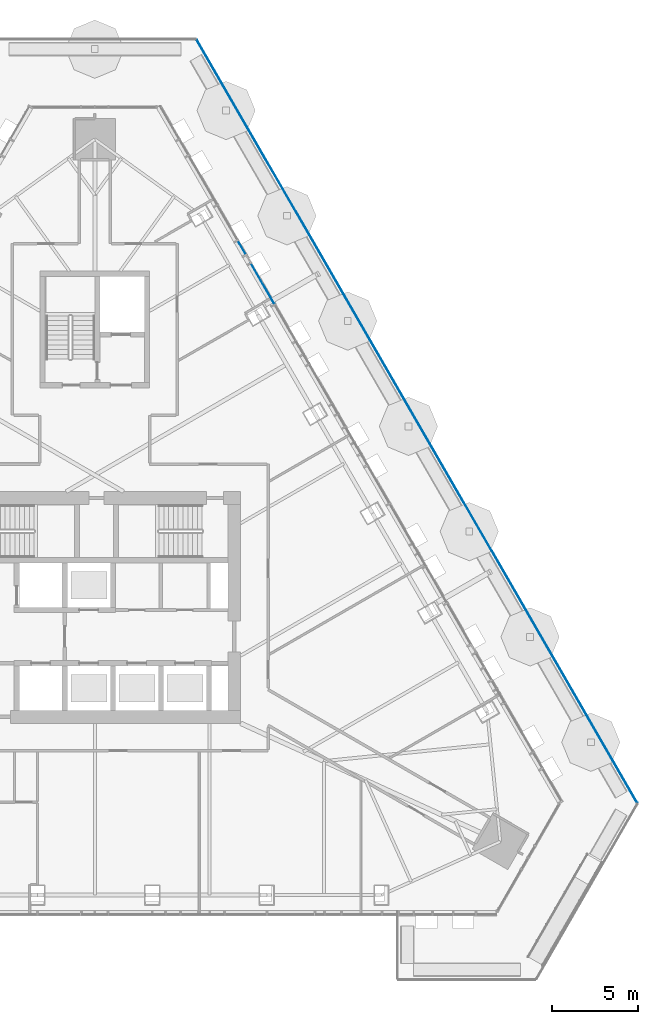
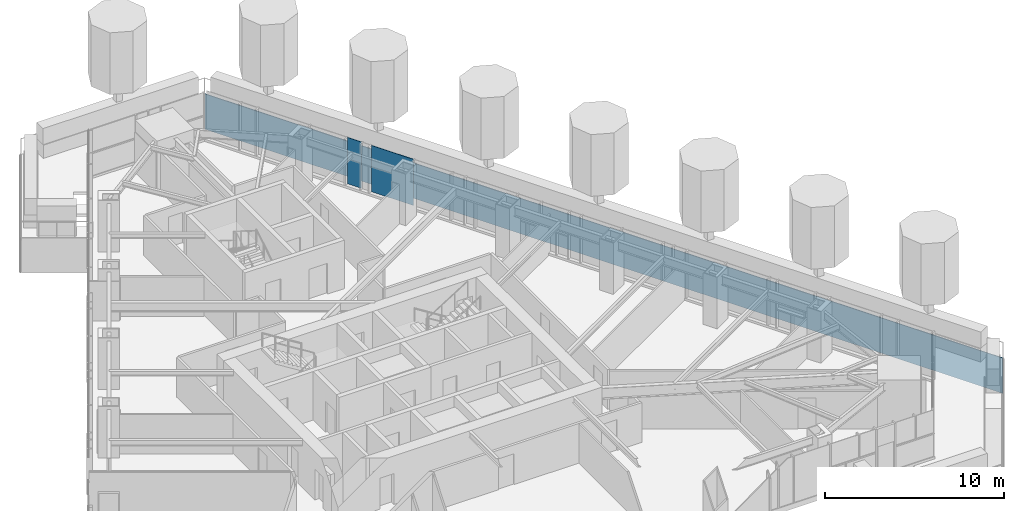
# One storey, part 15 of 24: 3 plates, 1 element without a shape of its own.
"""IFC4 building model written with IfcOpenShell, lengths in metres."""

from ifc_helpers import new_model, si_unit, direction, frame, origin, place, context, subcontext, project, spatial, polyline, outline, extrude, material, layer, layer_set, type_object, element, aggregate, save


model = new_model("IFC4")

# Units and contexts
model_context = context("Model", 3, precision=1e-05, world=origin(), true_north=direction((0.0, 1.0)))
body_context = subcontext(model_context, "Body", "Model", "MODEL_VIEW")
ifc_project = project(units=[si_unit("LENGTHUNIT", "METRE"), si_unit("AREAUNIT", "SQUARE_METRE"), si_unit("VOLUMEUNIT", "CUBIC_METRE"), si_unit("PLANEANGLEUNIT", "RADIAN"), si_unit("MASSUNIT", "GRAM", prefix="KILO")], contexts=[model_context])

# Site, building, storey
site_placement = place(None, origin())
site = spatial("IfcSite", under=ifc_project, at=site_placement, CompositionType="ELEMENT")
building_placement = place(site_placement, origin())
building = spatial("IfcBuilding", under=site, at=building_placement, Name="Firuza Gate Tower and Library", CompositionType="ELEMENT")
storey_placement = place(building_placement, frame((0.0, 0.0, 267.10009765625)))
storey = spatial("IfcBuildingStorey", under=building, at=storey_placement, Name="L63", CompositionType="ELEMENT", Elevation=267.10009765625)

# Curtain wall, plates
ifc_material_1 = material(Name="Aluminium 6063-T6", Category="aluminium")
ifc_layer_1 = layer(ifc_material_1, 0.14990234375)
ifc_layer_set_1 = layer_set([ifc_layer_1], Name="Unitised curtain wall, residences")
curtain_wall_type = type_object("IfcCurtainWallType", Name="Unitised curtain wall, residences", PredefinedType="NOTDEFINED", material=ifc_layer_set_1)
curtain_wall_placement = place(storey_placement, origin())
curtain_wall = element("IfcCurtainWall", 1, at=curtain_wall_placement, inside=storey, type_object=curtain_wall_type, Name="CW3 L63 E face", PredefinedType="NOTDEFINED")
ifc_material_2 = material(Name="Fritted glass", Category="glass")
ifc_layer_2 = layer(ifc_material_2, 0.030029296875)
ifc_layer_set_2 = layer_set([ifc_layer_2], Name="Fritted glass unit, residences")
plate_type_1 = type_object("IfcPlateType", Name="Fritted glass unit, residences", PredefinedType="CURTAIN_PANEL", material=ifc_layer_set_2)
plate_1_placement = place(storey_placement, frame((83.8046875, 95.591064453125, 0.14990234375), z_axis=(0.866027204995, 0.499996880198, 0.0), x_axis=(-0.499996880198, 0.866027204995, 0.0)))
plate_1 = element("IfcPlate", 2, at=plate_1_placement, type_object=plate_type_1, Name="Glass unit", PredefinedType="CURTAIN_PANEL", context=body_context, shape_type="SweptSolid", body=[
    extrude(outline(polyline([(0.0, 0.0), (0.898443105928927, 0.0), (0.898443105928927, 3.14990234375), (0.0, 3.14990234375), (0.0, 0.0)])), origin(), (0.0, 0.0, -1.0), 0.030029296875),
])
ifc_material_3 = material(Name="Glazed ceramic tile")
ifc_layer_3 = layer(ifc_material_3, 0.030029296875)
ifc_layer_set_3 = layer_set([ifc_layer_3], Name="Opaque ceramic panel, residences")
plate_type_2 = type_object("IfcPlateType", Name="Opaque ceramic panel, residences", PredefinedType="CURTAIN_PANEL", material=ifc_layer_set_3)
plate_2_placement = place(storey_placement, frame((85.478515625, 92.692138671875, 0.14990234375), z_axis=(0.86601598821, 0.500016307898, 0.0), x_axis=(-0.500016307898, 0.86601598821, 0.0)))
plate_2 = element("IfcPlate", 3, at=plate_2_placement, type_object=plate_type_2, Name="Opaque ceramic panel", PredefinedType="CURTAIN_PANEL", context=body_context, shape_type="SweptSolid", body=[
    extrude(outline(polyline([(0.0, 0.0), (2.7088960222001783, 0.0), (2.7088960222001783, 3.14990234375), (0.0, 3.14990234375), (0.0, 0.0)])), origin(), (0.0, 0.0, -1.0), 0.030029296875),
])
aggregate(curtain_wall, [plate_2, plate_1])

# Plate
ifc_material_4 = material(Name="Aluminium 6063-T6", Category="aluminium")
ifc_layer_4 = layer(ifc_material_4, 0.050048828125)
ifc_layer_set_4 = layer_set([ifc_layer_4], Name="Tray fascia panel 50")
plate_type_3 = type_object("IfcPlateType", Name="Tray fascia panel 50", PredefinedType="SHEET", material=ifc_layer_set_4)
plate_3_placement = place(storey_placement, frame((106.635986328125, 63.6259765625, -2.400146484375), z_axis=(0.866029096901, 0.49999360328, 0.0), x_axis=(-0.49999360328, 0.866029096901, 0.0)))
element("IfcPlate", 4, at=plate_3_placement, inside=storey, type_object=plate_type_3, Name="Tray fascia L63 3", PredefinedType="SHEET", context=body_context, shape_type="SweptSolid", body=[
    extrude(outline(polyline([(0.0, 0.0), (51.33659427160582, 0.0), (51.33659427160582, 2.400146484375), (0.0, 2.400146484375), (0.0, 0.0)])), origin(), (0.0, 0.0, -1.0), 0.050048828125),
])

save(model, "model.ifc")
